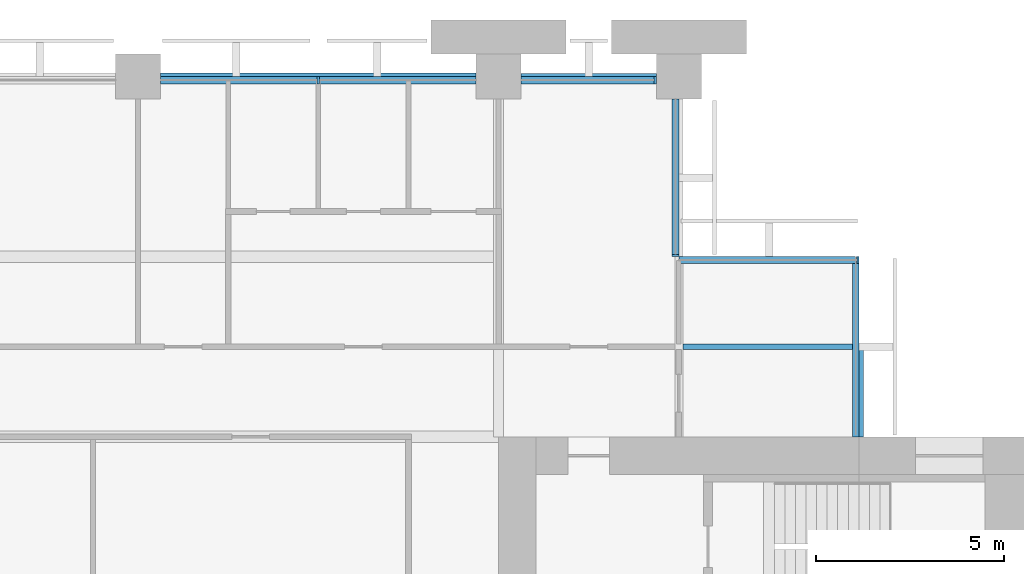
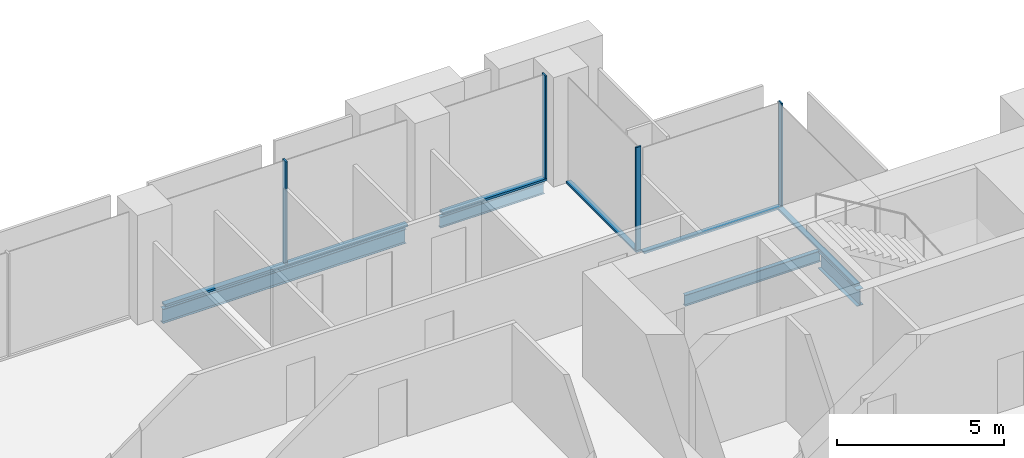
# One storey, part 7 of 14: 9 members, 4 beams, 4 elements without a shape of their own.
"""IFC4 building model written with IfcOpenShell, lengths in metres."""

from ifc_helpers import new_model, si_unit, direction, frame, origin, origin_2d, place, context, subcontext, project, spatial, rectangle, i_section, extrude, material, material_profile, profile_set, type_object, element, aggregate, save


model = new_model("IFC4")

# Units and contexts
model_context = context("Model", 3, precision=1e-05, world=origin(), true_north=direction((0.0, 1.0)))
body_context = subcontext(model_context, "Body", "Model", "MODEL_VIEW")
ifc_project = project(units=[si_unit("LENGTHUNIT", "METRE"), si_unit("AREAUNIT", "SQUARE_METRE"), si_unit("VOLUMEUNIT", "CUBIC_METRE"), si_unit("PLANEANGLEUNIT", "RADIAN"), si_unit("MASSUNIT", "GRAM", prefix="KILO")], contexts=[model_context])

# Site, building, storey
site_placement = place(None, origin())
site = spatial("IfcSite", under=ifc_project, at=site_placement, CompositionType="ELEMENT")
building_placement = place(site_placement, origin())
building = spatial("IfcBuilding", under=site, at=building_placement, Name="Baori Bourse Tower", CompositionType="ELEMENT")
storey_placement = place(building_placement, frame((0.0, 0.0, 148.10009765625)))
storey = spatial("IfcBuildingStorey", under=building, at=storey_placement, Name="L32", CompositionType="ELEMENT", Elevation=148.10009765625)

# Curtain wall, members
ifc_material_1 = material(Name="Pale anodised aluminium", Category="aluminium")
curtain_wall_type_1 = type_object("IfcCurtainWallType", Name="CW1 Curtain wall", PredefinedType="NOTDEFINED", material=ifc_material_1)
curtain_wall_1_placement = place(storey_placement, origin())
curtain_wall_1 = element("IfcCurtainWall", 1, at=curtain_wall_1_placement, inside=storey, type_object=curtain_wall_type_1, Name="Curtain wall CW1 L32 4", PredefinedType="NOTDEFINED")
ifc_material_2 = material(Name="Pale anodised aluminium", Category="aluminium")
ifc_material_profile_1 = material_profile(ifc_material_2, rectangle(XDim=0.199951171875, YDim=0.06005859375, at=origin_2d()), Name="Mullion 60x200")
ifc_profile_set_1 = profile_set([ifc_material_profile_1], Name="Pale anodised aluminium")
member_type_1 = type_object("IfcMemberType", Name="CW1 Curtain wall mullion", PredefinedType="MULLION", material=ifc_profile_set_1)
member_1_placement = place(storey_placement, frame((42.570068359375, 47.89990234375, 0.079833984375), z_axis=(0.0, 0.0, 1.0), x_axis=(0.0, -1.0, 0.0)))
member_1 = element("IfcMember", 2, at=member_1_placement, type_object=member_type_1, Name="Curtain wall CW1 mullion", PredefinedType="MULLION", context=body_context, shape_type="SweptSolid", body=[
    extrude(rectangle(XDim=0.199951171875, YDim=0.06005859375, at=origin_2d()), origin(), (0.0, 0.0, 1.0), 3.760009765625),
])
member_2_placement = place(storey_placement, frame((33.60009765625, 47.89990234375, 0.079833984375), z_axis=(0.0, 0.0, 1.0), x_axis=(0.0, -1.0, 0.0)))
member_2 = element("IfcMember", 3, at=member_2_placement, type_object=member_type_1, Name="Curtain wall CW1 mullion", PredefinedType="MULLION", context=body_context, shape_type="SweptSolid", body=[
    extrude(rectangle(XDim=0.199951171875, YDim=0.06005859375, at=origin_2d()), origin(), (0.0, 0.0, 1.0), 3.760009765625),
])
ifc_material_3 = material(Name="Pale anodised aluminium", Category="aluminium")
ifc_material_profile_2 = material_profile(ifc_material_3, rectangle(XDim=0.199951171875, YDim=0.080078125, at=origin_2d()), Name="Transom 80x200")
ifc_profile_set_2 = profile_set([ifc_material_profile_2], Name="Pale anodised aluminium")
member_type_2 = type_object("IfcMemberType", Name="CW1 Curtain wall transom", PredefinedType="USERDEFINED", material=ifc_profile_set_2)
member_3_placement = place(storey_placement, frame((42.60009765625, 47.89990234375, 0.039794921875), z_axis=(-1.0, 0.0, 0.0), x_axis=(0.0, -1.0, 0.0)))
member_3 = element("IfcMember", 4, at=member_3_placement, type_object=member_type_2, Name="Curtain wall CW1 sill rail", ObjectType="TRANSOM", PredefinedType="USERDEFINED", context=body_context, shape_type="SweptSolid", body=[
    extrude(rectangle(XDim=0.199951171875, YDim=0.080078125, at=origin_2d()), origin(), (0.0, 0.0, 1.0), 3.60009765625),
])
member_4_placement = place(storey_placement, frame((37.800048828125, 47.89990234375, 0.039794921875), z_axis=(-1.0, 0.0, 0.0), x_axis=(0.0, -1.0, 0.0)))
member_4 = element("IfcMember", 5, at=member_4_placement, type_object=member_type_2, Name="Curtain wall CW1 sill rail", ObjectType="TRANSOM", PredefinedType="USERDEFINED", context=body_context, shape_type="SweptSolid", body=[
    extrude(rectangle(XDim=0.199951171875, YDim=0.080078125, at=origin_2d()), origin(), (0.0, 0.0, 1.0), 8.400146484375),
])
aggregate(curtain_wall_1, [member_3, member_1, member_4, member_2])

# Curtain wall, member
ifc_material_4 = material(Name="Pale anodised aluminium", Category="aluminium")
curtain_wall_type_2 = type_object("IfcCurtainWallType", Name="CW2 Curtain wall", PredefinedType="NOTDEFINED", material=ifc_material_4)
curtain_wall_2_placement = place(storey_placement, origin())
curtain_wall_2 = element("IfcCurtainWall", 6, at=curtain_wall_2_placement, inside=storey, type_object=curtain_wall_type_2, Name="Curtain wall CW2 L32 2", PredefinedType="NOTDEFINED")
ifc_material_5 = material(Name="Pale anodised aluminium", Category="aluminium")
ifc_material_profile_3 = material_profile(ifc_material_5, rectangle(XDim=0.179931640625, YDim=0.054931640625, at=origin_2d()), Name="Mullion 55x180")
ifc_profile_set_3 = profile_set([ifc_material_profile_3], Name="Pale anodised aluminium")
member_type_3 = type_object("IfcMemberType", Name="CW2 Curtain wall mullion", PredefinedType="MULLION", material=ifc_profile_set_3)
member_5_placement = place(storey_placement, frame((47.972412109375, 43.110107421875, 0.06982421875), z_axis=(0.0, 0.0, 1.0), x_axis=(0.0, -1.0, 0.0)))
member_5 = element("IfcMember", 7, at=member_5_placement, type_object=member_type_3, Name="Curtain wall CW2 mullion", PredefinedType="MULLION", context=body_context, shape_type="SweptSolid", body=[
    extrude(rectangle(XDim=0.179931640625, YDim=0.054931640625, at=origin_2d()), origin(), (0.0, 0.0, 1.0), 3.77001953125),
])

curtain_wall_3_placement = place(storey_placement, origin())
curtain_wall_3 = element("IfcCurtainWall", 8, at=curtain_wall_3_placement, inside=storey, type_object=curtain_wall_type_2, Name="Curtain wall CW2 L32 3", PredefinedType="NOTDEFINED")
member_6_placement = place(storey_placement, frame((43.110107421875, 43.2275390625, 0.06982421875), z_axis=(0.0, 0.0, 1.0), x_axis=(-1.0, 0.0, 0.0)))
member_6 = element("IfcMember", 9, at=member_6_placement, type_object=member_type_3, Name="Curtain wall CW2 mullion", PredefinedType="MULLION", context=body_context, shape_type="SweptSolid", body=[
    extrude(rectangle(XDim=0.179931640625, YDim=0.054931640625, at=origin_2d()), origin(), (0.0, 0.0, 1.0), 3.77001953125),
])

curtain_wall_4_placement = place(storey_placement, origin())
curtain_wall_4 = element("IfcCurtainWall", 10, at=curtain_wall_4_placement, inside=storey, type_object=curtain_wall_type_2, Name="Curtain wall CW2 L32 1", PredefinedType="NOTDEFINED")
ifc_material_6 = material(Name="Pale anodised aluminium", Category="aluminium")
ifc_material_profile_4 = material_profile(ifc_material_6, rectangle(XDim=0.179931640625, YDim=0.070068359375, at=origin_2d()), Name="Transom 70x180")
ifc_profile_set_4 = profile_set([ifc_material_profile_4], Name="Pale anodised aluminium")
member_type_4 = type_object("IfcMemberType", Name="CW2 Curtain wall transom", PredefinedType="USERDEFINED", material=ifc_profile_set_4)
member_7_placement = place(storey_placement, frame((47.909912109375, 38.39990234375, 0.034912109375), z_axis=(0.0, 1.0, 0.0), x_axis=(-1.0, 0.0, 0.0)))
member_7 = element("IfcMember", 11, at=member_7_placement, type_object=member_type_4, Name="Curtain wall CW2 sill rail", ObjectType="TRANSOM", PredefinedType="USERDEFINED", context=body_context, shape_type="SweptSolid", body=[
    extrude(rectangle(XDim=0.179931640625, YDim=0.070068359375, at=origin_2d()), origin(), (0.0, 0.0, 1.0), 4.800048828125),
])
aggregate(curtain_wall_4, [member_7])

# Member
member_8_placement = place(storey_placement, frame((48.0, 43.110107421875, 0.034912109375), z_axis=(-1.0, 0.0, 0.0), x_axis=(0.0, -1.0, 0.0)))
member_8 = element("IfcMember", 12, at=member_8_placement, type_object=member_type_4, Name="Curtain wall CW2 sill rail", ObjectType="TRANSOM", PredefinedType="USERDEFINED", context=body_context, shape_type="SweptSolid", body=[
    extrude(rectangle(XDim=0.179931640625, YDim=0.070068359375, at=origin_2d()), origin(), (0.0, 0.0, 1.0), 4.800048828125),
])

aggregate(curtain_wall_2, [member_8, member_5])

member_9_placement = place(storey_placement, frame((43.110107421875, 43.199951171875, 0.034912109375), z_axis=(0.0, 1.0, 0.0), x_axis=(-1.0, 0.0, 0.0)))
member_9 = element("IfcMember", 13, at=member_9_placement, type_object=member_type_4, Name="Curtain wall CW2 sill rail", ObjectType="TRANSOM", PredefinedType="USERDEFINED", context=body_context, shape_type="SweptSolid", body=[
    extrude(rectangle(XDim=0.179931640625, YDim=0.070068359375, at=origin_2d()), origin(), (0.0, 0.0, 1.0), 4.199951171875),
])

aggregate(curtain_wall_3, [member_9, member_6])

# Beams
ifc_material_7 = material(Name="Steel A992 Gr 50", Category="steel")
ifc_material_profile_5 = material_profile(ifc_material_7, i_section(OverallWidth=0.227783203125, OverallDepth=0.60205078125, WebThickness=0.010498046875, FlangeThickness=0.014892578125, at=origin_2d()), Name="W24x68")
ifc_profile_set_5 = profile_set([ifc_material_profile_5], Name="Steel A992 Gr 50")
beam_type_1 = type_object("IfcBeamType", Name="Core bracket W24x68", PredefinedType="BEAM", material=ifc_profile_set_5)
beam_1_placement = place(storey_placement, frame((48.0, 38.39990234375, -0.461181640625), z_axis=(0.0, 1.0, 0.0), x_axis=(-1.0, 0.0, 0.0)))
element("IfcBeam", 14, at=beam_1_placement, inside=storey, type_object=beam_type_1, Name="Core bracket L32", PredefinedType="BEAM", context=body_context, shape_type="SweptSolid", body=[
    extrude(i_section(OverallWidth=0.227783203125, OverallDepth=0.60205078125, WebThickness=0.010498046875, FlangeThickness=0.014892578125, at=origin_2d()), origin(), (0.0, 0.0, 1.0), 2.329833984375),
])
ifc_material_8 = material(Name="Steel A992 Gr 50", Category="steel")
ifc_material_profile_6 = material_profile(ifc_material_8, i_section(OverallWidth=0.140380859375, OverallDepth=0.40380859375, WebThickness=0.007080078125, FlangeThickness=0.01123046875, at=origin_2d()), Name="W16x31")
ifc_profile_set_6 = profile_set([ifc_material_profile_6], Name="Steel A992 Gr 50")
beam_type_2 = type_object("IfcBeamType", Name="Edge beam W16x31", PredefinedType="BEAM", material=ifc_profile_set_6)
beam_2_placement = place(storey_placement, frame((39.0, 48.0, -0.362060546875), z_axis=(1.0, 0.0, 0.0), x_axis=(0.0, 1.0, 0.0)))
element("IfcBeam", 15, at=beam_2_placement, inside=storey, type_object=beam_type_2, Name="Edge beam L32", PredefinedType="BEAM", context=body_context, shape_type="SweptSolid", body=[
    extrude(i_section(OverallWidth=0.140380859375, OverallDepth=0.40380859375, WebThickness=0.007080078125, FlangeThickness=0.01123046875, at=origin_2d()), origin(), (0.0, 0.0, 1.0), 3.60009765625),
])
ifc_material_9 = material(Name="Steel A992 Gr 50", Category="steel")
ifc_material_profile_7 = material_profile(ifc_material_9, i_section(OverallWidth=0.1650390625, OverallDepth=0.52587890625, WebThickness=0.0087890625, FlangeThickness=0.011474609375, at=origin_2d()), Name="W21x44")
ifc_profile_set_7 = profile_set([ifc_material_profile_7], Name="Steel A992 Gr 50")
beam_type_3 = type_object("IfcBeamType", Name="Edge beam W21x44", PredefinedType="BEAM", material=ifc_profile_set_7)
beam_3_placement = place(storey_placement, frame((29.39990234375, 48.0, -0.423095703125), z_axis=(1.0, 0.0, 0.0), x_axis=(0.0, 1.0, 0.0)))
element("IfcBeam", 16, at=beam_3_placement, inside=storey, type_object=beam_type_3, Name="Edge beam L32", PredefinedType="BEAM", context=body_context, shape_type="SweptSolid", body=[
    extrude(i_section(OverallWidth=0.1650390625, OverallDepth=0.52587890625, WebThickness=0.0087890625, FlangeThickness=0.011474609375, at=origin_2d()), origin(), (0.0, 0.0, 1.0), 8.400146484375),
])
ifc_material_10 = material(Name="Steel A992 Gr 50", Category="steel")
ifc_material_profile_8 = material_profile(ifc_material_10, i_section(OverallWidth=0.140380859375, OverallDepth=0.40380859375, WebThickness=0.007080078125, FlangeThickness=0.01123046875, at=origin_2d()), Name="W16x31")
ifc_profile_set_8 = profile_set([ifc_material_profile_8], Name="Steel A992 Gr 50")
beam_type_4 = type_object("IfcBeamType", Name="Trimmer beam W16x31", PredefinedType="BEAM", material=ifc_profile_set_8)
beam_4_placement = place(storey_placement, frame((43.3046875, 40.800048828125, -0.362060546875), z_axis=(1.0, 0.0, 0.0), x_axis=(0.0, 1.0, 0.0)))
element("IfcBeam", 17, at=beam_4_placement, inside=storey, type_object=beam_type_4, Name="Trimmer beam L32", PredefinedType="BEAM", context=body_context, shape_type="SweptSolid", body=[
    extrude(i_section(OverallWidth=0.140380859375, OverallDepth=0.40380859375, WebThickness=0.007080078125, FlangeThickness=0.01123046875, at=origin_2d()), origin(), (0.0, 0.0, 1.0), 4.6953125),
])

save(model, "model.ifc")
